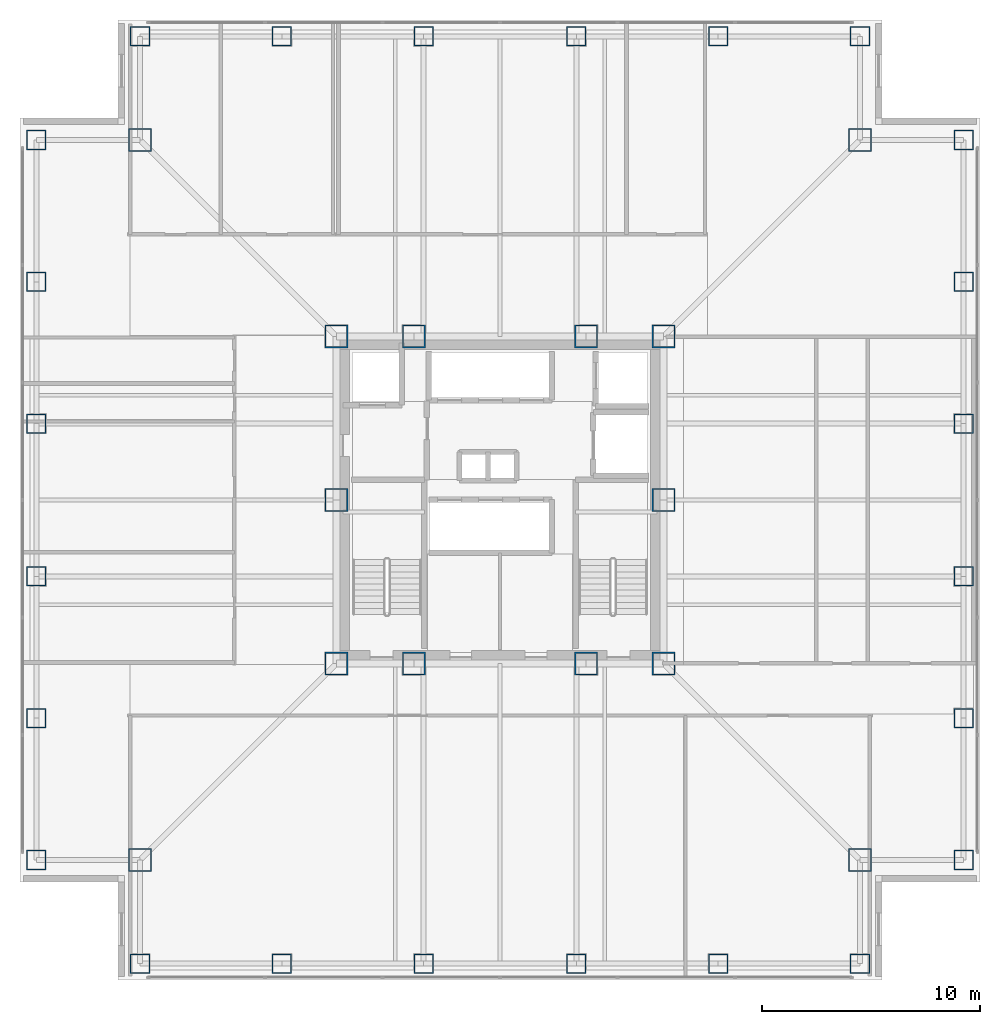
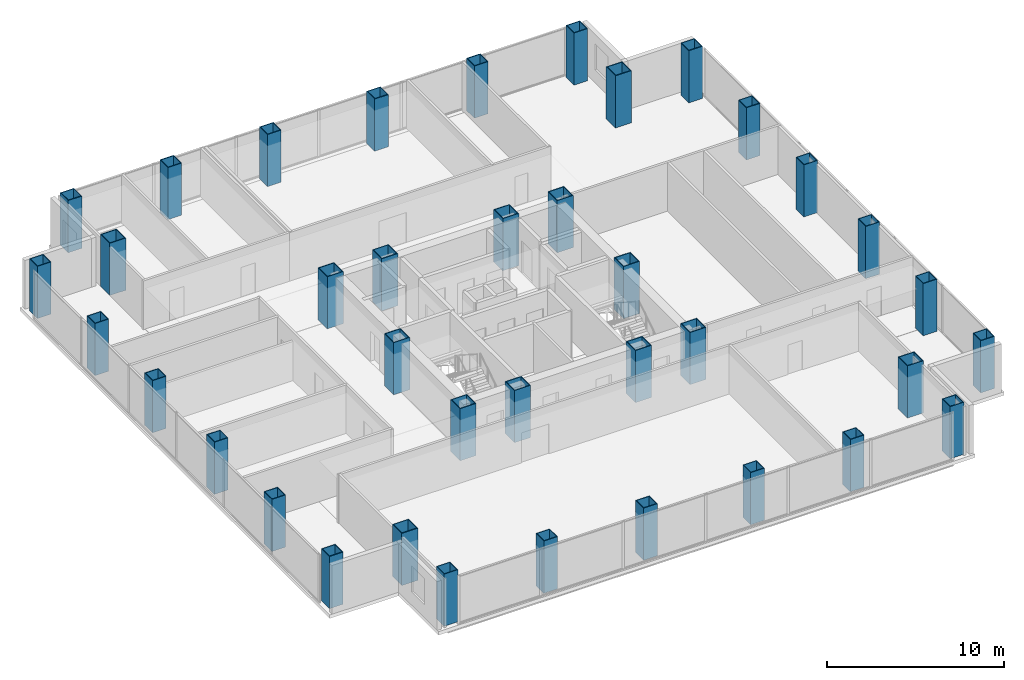
# One storey, part 1 of 14: 38 columns.
"""IFC4 building model written with IfcOpenShell, lengths in metres."""

from ifc_helpers import new_model, si_unit, direction, frame, origin, origin_2d, place, context, subcontext, project, spatial, hollow_rectangle, extrude, material, material_profile, profile_set, type_object, element, save


model = new_model("IFC4")

# Units and contexts
model_context = context("Model", 3, precision=1e-05, world=origin(), true_north=direction((0.0, 1.0)))
body_context = subcontext(model_context, "Body", "Model", "MODEL_VIEW")
ifc_project = project(units=[si_unit("LENGTHUNIT", "METRE"), si_unit("AREAUNIT", "SQUARE_METRE"), si_unit("VOLUMEUNIT", "CUBIC_METRE"), si_unit("PLANEANGLEUNIT", "RADIAN"), si_unit("MASSUNIT", "GRAM", prefix="KILO")], contexts=[model_context])

# Site, building, storey
site_placement = place(None, origin())
site = spatial("IfcSite", under=ifc_project, at=site_placement, CompositionType="ELEMENT")
building_placement = place(site_placement, origin())
building = spatial("IfcBuilding", under=site, at=building_placement, Name="Trevonay Congress Spire", CompositionType="ELEMENT")
storey_placement = place(building_placement, frame((0.0, 0.0, 140.800048828125)))
storey = spatial("IfcBuildingStorey", under=building, at=storey_placement, Name="L36", CompositionType="ELEMENT", Elevation=140.800048828125)

# Columns
ifc_material = material(Name="Steel ASTM A572 Grade 50", Category="steel")
ifc_material_profile_1 = material_profile(ifc_material, hollow_rectangle(XDim=1.050048828125, YDim=1.050048828125, WallThickness=0.050048828125, at=origin_2d()), Name="BOX 1050x1050x50")
ifc_profile_set_1 = profile_set([ifc_material_profile_1], Name="Steel ASTM A572 Grade 50")
column_type_1 = type_object("IfcColumnType", Name="COL-CORE-BOX1050", PredefinedType="COLUMN", material=ifc_profile_set_1)
for number, where, z_axis, x_axis, name in (
    (1, (-7.5, -7.5, 0.0), (0.0, 0.0, 1.0), (1.0, 0.0, 0.0), "L36 column C03 at CC-SW"),
    (2, (-3.949951171875, -7.5, 0.0), (0.0, 0.0, 1.0), (1.0, 0.0, 0.0), "L36 column C03 at CC-SMW"),
    (3, (3.949951171875, -7.5, 0.0), (0.0, 0.0, 1.0), (1.0, 0.0, 0.0), "L36 column C03 at CC-SME"),
    (4, (7.5, -7.5, 0.0), (0.0, 0.0, 1.0), (1.0, 0.0, 0.0), "L36 column C03 at CC-SE"),
    (5, (7.5, 0.0, 0.0), (0.0, 0.0, 1.0), (1.0, 0.0, 0.0), "L36 column C03 at CC-E"),
    (6, (7.5, 7.5, 0.0), (0.0, 0.0, 1.0), (1.0, 0.0, 0.0), "L36 column C03 at CC-NE"),
    (7, (3.949951171875, 7.5, 0.0), (0.0, 0.0, 1.0), (1.0, 0.0, 0.0), "L36 column C03 at CC-NME"),
    (8, (-3.949951171875, 7.5, 0.0), (0.0, 0.0, 1.0), (1.0, 0.0, 0.0), "L36 column C03 at CC-NMW"),
    (9, (-7.5, 7.5, 0.0), (0.0, 0.0, 1.0), (1.0, 0.0, 0.0), "L36 column C03 at CC-NW"),
    (10, (-7.5, 0.0, 0.0), (0.0, 0.0, 1.0), (1.0, 0.0, 0.0), "L36 column C03 at CC-W"),
):
    element("IfcColumn", number, at=place(storey_placement, frame(where, z_axis=z_axis, x_axis=x_axis)), inside=storey, type_object=column_type_1, Name=name, PredefinedType="COLUMN", context=body_context, shape_type="SweptSolid", body=[
        extrude(hollow_rectangle(XDim=1.050048828125, YDim=1.050048828125, WallThickness=0.050048828125, at=origin_2d()), origin(), (0.0, 0.0, 1.0), 3.599853515625),
    ])
ifc_material_profile_2 = material_profile(ifc_material, hollow_rectangle(XDim=1.050048828125, YDim=1.050048828125, WallThickness=0.050048828125, at=origin_2d()), Name="BOX 1050x1050x50")
ifc_profile_set_2 = profile_set([ifc_material_profile_2], Name="Steel ASTM A572 Grade 50")
column_type_2 = type_object("IfcColumnType", Name="COL-TUBE-BOX1050", PredefinedType="COLUMN", material=ifc_profile_set_2)
for number, where, z_axis, x_axis, name in (
    (11, (-16.5, -16.5, 0.0), (0.0, 0.0, 1.0), (1.0, 0.0, 0.0), "L36 column C14 at NC-SW"),
    (12, (16.5, -16.5, 0.0), (0.0, 0.0, 1.0), (1.0, 0.0, 0.0), "L36 column C14 at NC-SE"),
    (13, (16.5, 16.5, 0.0), (0.0, 0.0, 1.0), (1.0, 0.0, 0.0), "L36 column C14 at NC-NE"),
    (14, (-16.5, 16.5, 0.0), (0.0, 0.0, 1.0), (1.0, 0.0, 0.0), "L36 column C14 at NC-NW"),
):
    element("IfcColumn", number, at=place(storey_placement, frame(where, z_axis=z_axis, x_axis=x_axis)), inside=storey, type_object=column_type_2, Name=name, PredefinedType="COLUMN", context=body_context, shape_type="SweptSolid", body=[
        extrude(hollow_rectangle(XDim=1.050048828125, YDim=1.050048828125, WallThickness=0.050048828125, at=origin_2d()), origin(), (0.0, 0.0, 1.0), 3.599853515625),
    ])
ifc_material_profile_3 = material_profile(ifc_material, hollow_rectangle(XDim=0.89990234375, YDim=0.89990234375, WallThickness=0.044921875, at=origin_2d()), Name="BOX 900x900x45")
ifc_profile_set_3 = profile_set([ifc_material_profile_3], Name="Steel ASTM A572 Grade 50")
column_type_3 = type_object("IfcColumnType", Name="COL-TUBE-BOX900", PredefinedType="COLUMN", material=ifc_profile_set_3)
for number, where, z_axis, x_axis, name in (
    (15, (-16.5, -21.25, 0.0), (0.0, 0.0, 1.0), (1.0, 0.0, 0.0), "L36 column C15 at TS-1"),
    (16, (-16.5, 21.25, 0.0), (0.0, 0.0, 1.0), (1.0, 0.0, 0.0), "L36 column C15 at TN-1"),
    (17, (-21.25, -16.5, 0.0), (0.0, 0.0, 1.0), (1.0, 0.0, 0.0), "L36 column C15 at TW-1"),
    (18, (21.25, -16.5, 0.0), (0.0, 0.0, 1.0), (1.0, 0.0, 0.0), "L36 column C15 at TE-1"),
    (19, (-10.0, -21.25, 0.0), (0.0, 0.0, 1.0), (1.0, 0.0, 0.0), "L36 column C15 at TS-2"),
    (20, (-10.0, 21.25, 0.0), (0.0, 0.0, 1.0), (1.0, 0.0, 0.0), "L36 column C15 at TN-2"),
    (21, (-21.25, -10.0, 0.0), (0.0, 0.0, 1.0), (1.0, 0.0, 0.0), "L36 column C15 at TW-2"),
    (22, (21.25, -10.0, 0.0), (0.0, 0.0, 1.0), (1.0, 0.0, 0.0), "L36 column C15 at TE-2"),
    (23, (-3.5, -21.25, 0.0), (0.0, 0.0, 1.0), (1.0, 0.0, 0.0), "L36 column C15 at TS-3"),
    (24, (-3.5, 21.25, 0.0), (0.0, 0.0, 1.0), (1.0, 0.0, 0.0), "L36 column C15 at TN-3"),
    (25, (-21.25, -3.5, 0.0), (0.0, 0.0, 1.0), (1.0, 0.0, 0.0), "L36 column C15 at TW-3"),
    (26, (21.25, -3.5, 0.0), (0.0, 0.0, 1.0), (1.0, 0.0, 0.0), "L36 column C15 at TE-3"),
    (27, (3.5, -21.25, 0.0), (0.0, 0.0, 1.0), (1.0, 0.0, 0.0), "L36 column C15 at TS-4"),
    (28, (3.5, 21.25, 0.0), (0.0, 0.0, 1.0), (1.0, 0.0, 0.0), "L36 column C15 at TN-4"),
    (29, (-21.25, 3.5, 0.0), (0.0, 0.0, 1.0), (1.0, 0.0, 0.0), "L36 column C15 at TW-4"),
    (30, (21.25, 3.5, 0.0), (0.0, 0.0, 1.0), (1.0, 0.0, 0.0), "L36 column C15 at TE-4"),
    (31, (10.0, -21.25, 0.0), (0.0, 0.0, 1.0), (1.0, 0.0, 0.0), "L36 column C15 at TS-5"),
    (32, (10.0, 21.25, 0.0), (0.0, 0.0, 1.0), (1.0, 0.0, 0.0), "L36 column C15 at TN-5"),
    (33, (-21.25, 10.0, 0.0), (0.0, 0.0, 1.0), (1.0, 0.0, 0.0), "L36 column C15 at TW-5"),
    (34, (21.25, 10.0, 0.0), (0.0, 0.0, 1.0), (1.0, 0.0, 0.0), "L36 column C15 at TE-5"),
    (35, (16.5, -21.25, 0.0), (0.0, 0.0, 1.0), (1.0, 0.0, 0.0), "L36 column C15 at TS-6"),
    (36, (16.5, 21.25, 0.0), (0.0, 0.0, 1.0), (1.0, 0.0, 0.0), "L36 column C15 at TN-6"),
    (37, (-21.25, 16.5, 0.0), (0.0, 0.0, 1.0), (1.0, 0.0, 0.0), "L36 column C15 at TW-6"),
    (38, (21.25, 16.5, 0.0), (0.0, 0.0, 1.0), (1.0, 0.0, 0.0), "L36 column C15 at TE-6"),
):
    element("IfcColumn", number, at=place(storey_placement, frame(where, z_axis=z_axis, x_axis=x_axis)), inside=storey, type_object=column_type_3, Name=name, PredefinedType="COLUMN", context=body_context, shape_type="SweptSolid", body=[
        extrude(hollow_rectangle(XDim=0.89990234375, YDim=0.89990234375, WallThickness=0.044921875, at=origin_2d()), origin(), (0.0, 0.0, 1.0), 3.599853515625),
    ])

save(model, "model.ifc")
